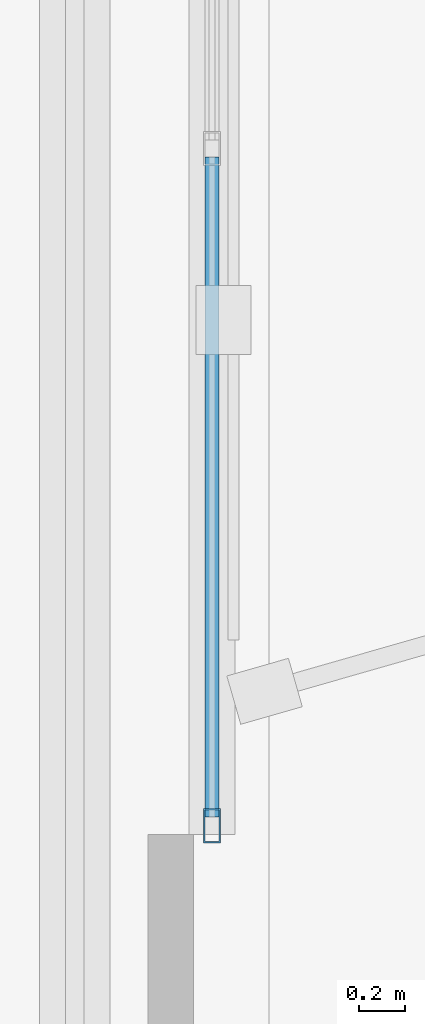
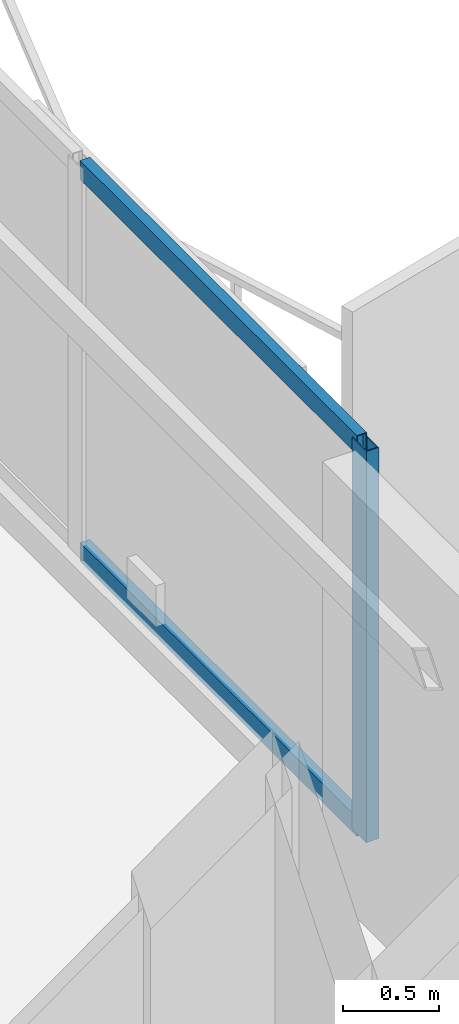
# One storey, part 6 of 22: 3 members, 1 element without a shape of its own.
"""IFC4 building model written with IfcOpenShell, lengths in metres."""

from ifc_helpers import new_model, si_unit, direction, frame, origin, origin_2d, place, context, subcontext, project, spatial, hollow_rectangle, extrude, material, layer, layer_set, material_profile, profile_set, type_object, element, aggregate, save


model = new_model("IFC4")

# Units and contexts
model_context = context("Model", 3, precision=1e-05, world=origin(), true_north=direction((0.0, 1.0)))
body_context = subcontext(model_context, "Body", "Model", "MODEL_VIEW")
ifc_project = project(units=[si_unit("LENGTHUNIT", "METRE"), si_unit("AREAUNIT", "SQUARE_METRE"), si_unit("VOLUMEUNIT", "CUBIC_METRE"), si_unit("PLANEANGLEUNIT", "RADIAN"), si_unit("MASSUNIT", "GRAM", prefix="KILO")], contexts=[model_context])

# Site, building, storey
site_placement = place(None, origin())
site = spatial("IfcSite", under=ifc_project, at=site_placement, CompositionType="ELEMENT")
building_placement = place(site_placement, origin())
building = spatial("IfcBuilding", under=site, at=building_placement, Name="Mersakhor Tower and Convention Hall", CompositionType="ELEMENT")
storey_placement = place(building_placement, frame((0.0, 0.0, 188.699951171875)))
storey = spatial("IfcBuildingStorey", under=building, at=storey_placement, Name="L52", CompositionType="ELEMENT", Elevation=188.699951171875)

# Curtain wall, members
ifc_material_1 = material(Name="Dark solar low-E aluminium curtain wall", Category="aluminium")
ifc_layer = layer(ifc_material_1, 0.169921875)
ifc_layer_set = layer_set([ifc_layer], Name="Dark solar low-E aluminium curtain wall")
curtain_wall_type = type_object("IfcCurtainWallType", Name="CW-SYS-02", PredefinedType="USERDEFINED", material=ifc_layer_set)
curtain_wall_placement = place(storey_placement, origin())
curtain_wall = element("IfcCurtainWall", 1, at=curtain_wall_placement, inside=storey, type_object=curtain_wall_type, Name="L52 Dark-Glass Curtain Wall F2-B2", ObjectType="CURTAIN WALL", PredefinedType="USERDEFINED")
ifc_material_2 = material(Name="Anodised aluminium EN AW-6063 T6", Category="aluminium")
ifc_material_profile_1 = material_profile(ifc_material_2, hollow_rectangle(XDim=0.074951171875, YDim=0.14990234375, WallThickness=0.00634765625, at=origin_2d()), Name="RHS 150x75x6.3")
ifc_profile_set_1 = profile_set([ifc_material_profile_1], Name="Anodised aluminium EN AW-6063 T6")
member_type_1 = type_object("IfcMemberType", Name="CWM-150x75", PredefinedType="MULLION", material=ifc_profile_set_1)
member_1_placement = place(storey_placement, frame((40.58837890625, 22.2880859375, 0.199951171875), z_axis=(0.0, 0.0, 1.0), x_axis=(1.0, 0.0, 0.0)))
member_1 = element("IfcMember", 2, at=member_1_placement, type_object=member_type_1, Name="CW-02 mullion 4", PredefinedType="MULLION", context=body_context, shape_type="SweptSolid", body=[
    extrude(hollow_rectangle(XDim=0.074951171875, YDim=0.14990234375, WallThickness=0.00634765625, at=origin_2d()), origin(), (0.0, 0.0, 1.0), 2.489990234375),
])
ifc_material_3 = material(Name="Anodised aluminium EN AW-6063 T6", Category="aluminium")
ifc_material_profile_2 = material_profile(ifc_material_3, hollow_rectangle(XDim=0.06005859375, YDim=0.1201171875, WallThickness=0.0048828125, at=origin_2d()), Name="RHS 120x60x5")
ifc_profile_set_2 = profile_set([ifc_material_profile_2], Name="Anodised aluminium EN AW-6063 T6")
member_type_2 = type_object("IfcMemberType", Name="CWT-120x60", PredefinedType="USERDEFINED", material=ifc_profile_set_2)
member_2_placement = place(storey_placement, frame((40.58837890625, 25.212646484375, 0.22998046875), z_axis=(0.0, -1.0, 0.0), x_axis=(1.0, 0.0, 0.0)))
member_2 = element("IfcMember", 3, at=member_2_placement, type_object=member_type_2, Name="CW-02 transom 3.1", ObjectType="TRANSOM", PredefinedType="USERDEFINED", context=body_context, shape_type="SweptSolid", body=[
    extrude(hollow_rectangle(XDim=0.06005859375, YDim=0.1201171875, WallThickness=0.0048828125, at=origin_2d()), origin(), (0.0, 0.0, 1.0), 2.88720703125),
])
member_3_placement = place(storey_placement, frame((40.58837890625, 25.212646484375, 2.66015625), z_axis=(0.0, -1.0, 0.0), x_axis=(1.0, 0.0, 0.0)))
member_3 = element("IfcMember", 4, at=member_3_placement, type_object=member_type_2, Name="CW-02 transom 3.2", ObjectType="TRANSOM", PredefinedType="USERDEFINED", context=body_context, shape_type="SweptSolid", body=[
    extrude(hollow_rectangle(XDim=0.06005859375, YDim=0.1201171875, WallThickness=0.0048828125, at=origin_2d()), origin(), (0.0, 0.0, 1.0), 2.88720703125),
])
aggregate(curtain_wall, [member_1, member_2, member_3])

save(model, "model.ifc")
